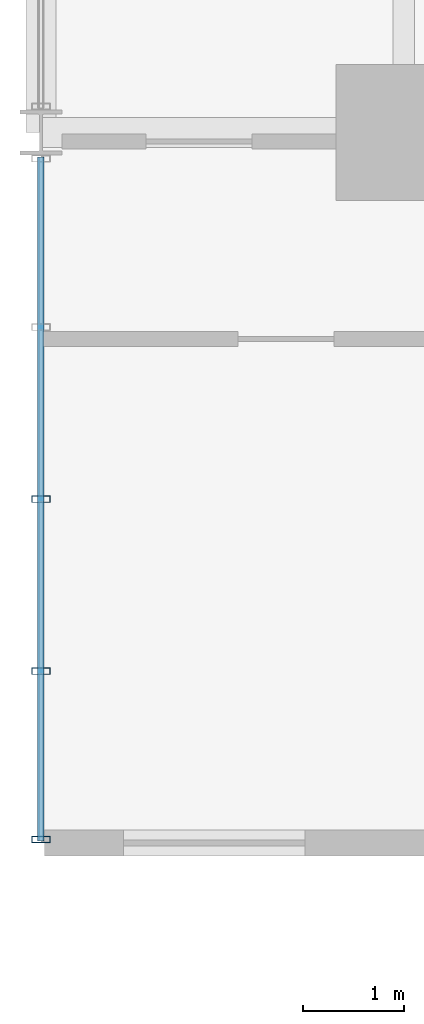
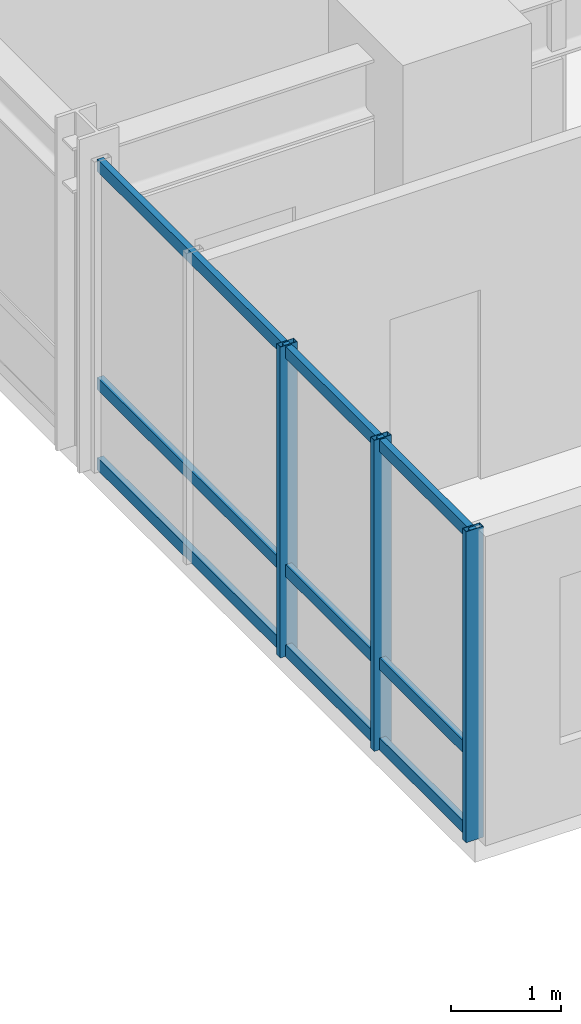
# One storey, part 2 of 19: 6 members, 1 element without a shape of its own.
"""IFC4 building model written with IfcOpenShell, lengths in metres."""

from ifc_helpers import new_model, si_unit, direction, frame, origin, origin_2d, place, context, subcontext, project, spatial, hollow_rectangle, extrude, source, transform, mapped, material, layer, layer_set, material_profile, profile_set, type_object, element, aggregate, save


model = new_model("IFC4")

# Units and contexts
model_context = context("Model", 3, precision=1e-05, world=origin(), true_north=direction((0.0, 1.0)))
body_context = subcontext(model_context, "Body", "Model", "MODEL_VIEW")
ifc_project = project(units=[si_unit("LENGTHUNIT", "METRE"), si_unit("AREAUNIT", "SQUARE_METRE"), si_unit("VOLUMEUNIT", "CUBIC_METRE"), si_unit("PLANEANGLEUNIT", "RADIAN"), si_unit("MASSUNIT", "GRAM", prefix="KILO")], contexts=[model_context])

# Site, building, storey
site_placement = place(None, origin())
site = spatial("IfcSite", under=ifc_project, at=site_placement, CompositionType="ELEMENT")
building_placement = place(site_placement, origin())
building = spatial("IfcBuilding", under=site, at=building_placement, Name="Kaliganga Portal Commons", CompositionType="ELEMENT")
storey_placement = place(building_placement, frame((0.0, 0.0, 47.5)))
storey = spatial("IfcBuildingStorey", under=building, at=storey_placement, Name="L11", CompositionType="ELEMENT", Elevation=47.5)

# Curtain wall, members
ifc_material_1 = material(Name="Anodized Aluminium and Laminated Low-E Glass", Category="aluminium")
ifc_layer = layer(ifc_material_1, 0.199951171875)
ifc_layer_set = layer_set([ifc_layer], Name="Anodized Aluminium and Laminated Low-E Glass")
curtain_wall_type = type_object("IfcCurtainWallType", Name="CW-SYS-02", PredefinedType="NOTDEFINED", material=ifc_layer_set)
curtain_wall_placement = place(storey_placement, origin())
curtain_wall = element("IfcCurtainWall", 1, at=curtain_wall_placement, inside=storey, type_object=curtain_wall_type, Name="CW 02 L11 P1E03S3", PredefinedType="NOTDEFINED")
ifc_material_2 = material(Name="Dark Bronze Anodized Aluminium", Category="aluminium")
ifc_material_profile_1 = material_profile(ifc_material_2, hollow_rectangle(XDim=0.06494140625, YDim=0.179931640625, WallThickness=0.00390625, at=origin_2d()), Name="ALU MULL 65x180x4")
ifc_profile_set_1 = profile_set([ifc_material_profile_1], Name="Dark Bronze Anodized Aluminium")
member_type_1 = type_object("IfcMemberType", Name="CW-MUL-180", PredefinedType="MULLION", material=ifc_profile_set_1)
shared_shape_1 = source(origin(), body_context, "Body", "SweptSolid", [
    extrude(hollow_rectangle(XDim=0.06494140625, YDim=0.179931640625, WallThickness=0.00390625, at=origin_2d()), origin(), (0.0, 0.0, 1.0), 3.449951171875),
])
member_1_placement = place(storey_placement, frame((3.60009765625, 25.012939453125, 0.0), z_axis=(0.0, 0.0, 1.0), x_axis=(0.0, -1.0, 0.0)))
member_1 = element("IfcMember", 2, at=member_1_placement, type_object=member_type_1, Name="CW:02:L11:P1E03S3 Mullion 02", PredefinedType="MULLION", context=body_context, shape_type="MappedRepresentation", body=[
    mapped(shared_shape_1, transform((0.0, 0.0, 0.0), x_axis=(1.0, 0.0, 0.0), y_axis=(0.0, 1.0, 0.0), z_axis=(0.0, 0.0, 1.0), scale=1.0)),
])
member_2_placement = place(storey_placement, frame((3.60009765625, 23.306396484375, 0.0), z_axis=(0.0, 0.0, 1.0), x_axis=(0.0, -1.0, 0.0)))
member_2 = element("IfcMember", 3, at=member_2_placement, type_object=member_type_1, Name="CW:02:L11:P1E03S3 Mullion 03", PredefinedType="MULLION", context=body_context, shape_type="MappedRepresentation", body=[
    mapped(shared_shape_1, transform((0.0, 0.0, 0.0), x_axis=(1.0, 0.0, 0.0), y_axis=(0.0, 1.0, 0.0), z_axis=(0.0, 0.0, 1.0), scale=1.0)),
])
member_3_placement = place(storey_placement, frame((3.60009765625, 21.635009765625, 0.0), z_axis=(0.0, 0.0, 1.0), x_axis=(0.0, -1.0, 0.0)))
member_3 = element("IfcMember", 4, at=member_3_placement, type_object=member_type_1, Name="CW:02:L11:P1E03S3 Mullion 04", PredefinedType="MULLION", context=body_context, shape_type="MappedRepresentation", body=[
    mapped(shared_shape_1, transform((0.0, 0.0, 0.0), x_axis=(1.0, 0.0, 0.0), y_axis=(0.0, 1.0, 0.0), z_axis=(0.0, 0.0, 1.0), scale=1.0)),
])
ifc_material_profile_2 = material_profile(ifc_material_2, hollow_rectangle(XDim=0.06494140625, YDim=0.135009765625, WallThickness=0.00341796875, at=origin_2d()), Name="ALU TRAN 65x135x3.5")
ifc_profile_set_2 = profile_set([ifc_material_profile_2], Name="Dark Bronze Anodized Aluminium")
member_type_2 = type_object("IfcMemberType", Name="CW-TRN-135", PredefinedType="USERDEFINED", material=ifc_profile_set_2)
shared_shape_2 = source(origin(), body_context, "Body", "SweptSolid", [
    extrude(hollow_rectangle(XDim=0.06494140625, YDim=0.135009765625, WallThickness=0.00341796875, at=origin_2d()), origin(), (0.0, 0.0, 1.0), 6.785888671875),
])
member_4_placement = place(storey_placement, frame((3.60009765625, 28.406005859375, 0.06005859375), z_axis=(0.0, -1.0, 0.0), x_axis=(1.0, 0.0, 0.0)))
member_4 = element("IfcMember", 5, at=member_4_placement, type_object=member_type_2, Name="CW:02:L11:P1E03S3 Transom 1", ObjectType="TRANSOM", PredefinedType="USERDEFINED", context=body_context, shape_type="MappedRepresentation", body=[
    mapped(shared_shape_2, transform((0.0, 0.0, 0.0), x_axis=(1.0, 0.0, 0.0), y_axis=(0.0, 1.0, 0.0), z_axis=(0.0, 0.0, 1.0), scale=1.0)),
])
member_5_placement = place(storey_placement, frame((3.60009765625, 28.406005859375, 0.949951171875), z_axis=(0.0, -1.0, 0.0), x_axis=(1.0, 0.0, 0.0)))
member_5 = element("IfcMember", 6, at=member_5_placement, type_object=member_type_2, Name="CW:02:L11:P1E03S3 Transom 2", ObjectType="TRANSOM", PredefinedType="USERDEFINED", context=body_context, shape_type="MappedRepresentation", body=[
    mapped(shared_shape_2, transform((0.0, 0.0, 0.0), x_axis=(1.0, 0.0, 0.0), y_axis=(0.0, 1.0, 0.0), z_axis=(0.0, 0.0, 1.0), scale=1.0)),
])
member_6_placement = place(storey_placement, frame((3.60009765625, 28.406005859375, 3.3701171875), z_axis=(0.0, -1.0, 0.0), x_axis=(1.0, 0.0, 0.0)))
member_6 = element("IfcMember", 7, at=member_6_placement, type_object=member_type_2, Name="CW:02:L11:P1E03S3 Transom 3", ObjectType="TRANSOM", PredefinedType="USERDEFINED", context=body_context, shape_type="MappedRepresentation", body=[
    mapped(shared_shape_2, transform((0.0, 0.0, 0.0), x_axis=(1.0, 0.0, 0.0), y_axis=(0.0, 1.0, 0.0), z_axis=(0.0, 0.0, 1.0), scale=1.0)),
])
aggregate(curtain_wall, [member_1, member_2, member_3, member_4, member_5, member_6])

save(model, "model.ifc")
